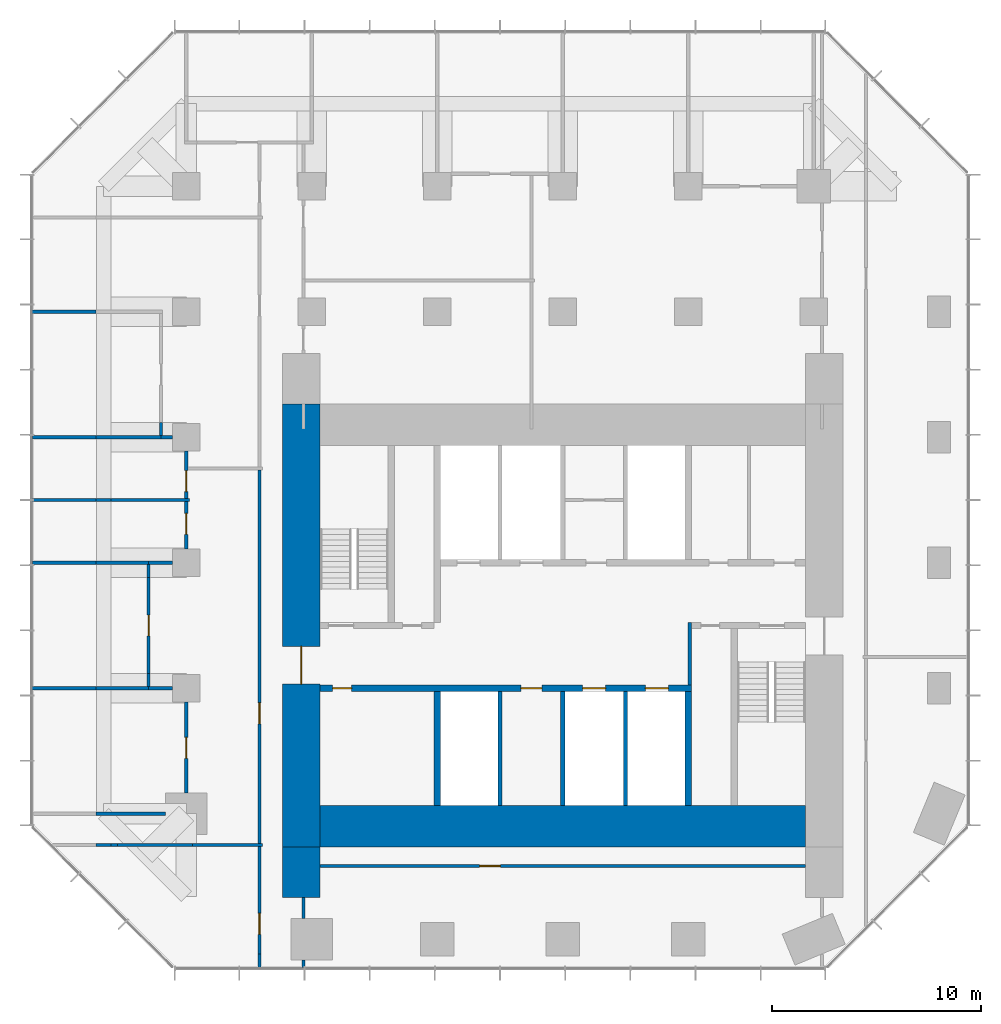
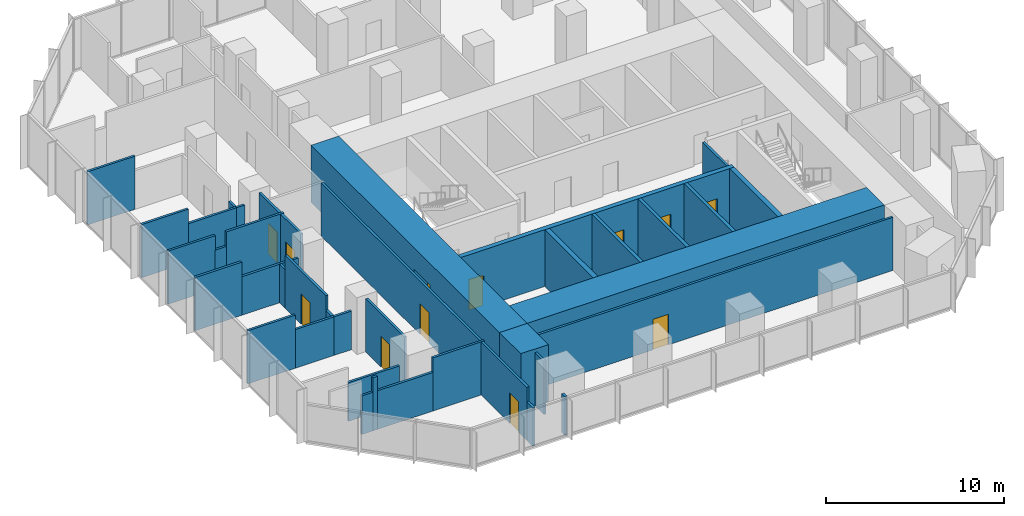
# One storey, part 8 of 11: 41 walls, 12 doors, 12 openings.
"""IFC4 building model written with IfcOpenShell, lengths in metres."""

import ifcopenshell
import ifcopenshell.guid

model = None  # the IFC model being written
_history = None  # IfcOwnerHistory: only IFC2X3 demands one
_inside = {}  # id of a spatial element -> (the spatial element, [elements in it])
_under = {}  # id of a project, library or spatial element -> (it, [spatial elements below it])
_declared = {}  # id of a project -> (the project, [libraries it declares])
_typed = {}  # id of a type object -> (the type object, [elements of that type])
_made_of = {}  # id of a material, layer set ... -> (it, [elements and type objects made of it])


def new_model(schema):
    """Start an empty IFC model of exactly this schema.

    Asked for "IFC4X3", IfcOpenShell would pick the latest addendum, in which some entities
    have other attributes; the version numbers below select the first issue.
    IFC2X3 requires an IfcOwnerHistory on every rooted entity: one is made here for all.
    """
    global model, _history
    if schema == "IFC4X3":
        model = ifcopenshell.file(schema_version=(4, 3, 0, 0))
    else:
        model = ifcopenshell.file(schema=schema)
    _inside.clear()
    _under.clear()
    _declared.clear()
    _typed.clear()
    _made_of.clear()
    _history = None
    if model.schema == "IFC2X3":
        org = make("IfcOrganization", Name="unknown")
        user = make(
            "IfcPersonAndOrganization",
            ThePerson=make("IfcPerson", FamilyName="unknown"),
            TheOrganization=org,
        )
        app = make(
            "IfcApplication",
            ApplicationDeveloper=org,
            Version="unknown",
            ApplicationFullName="unknown",
            ApplicationIdentifier="unknown",
        )
        _history = make(
            "IfcOwnerHistory",
            OwningUser=user,
            OwningApplication=app,
            ChangeAction="ADDED",
            CreationDate=0,
        )
    return model


def make(cls, **values):
    """One entity of the class cls with the attributes given. An attribute that is None is left unset."""
    return model.create_entity(
        cls, **{name: value for name, value in values.items() if value is not None}
    )


def rooted(cls, **values):
    """An entity with a GlobalId (a new one), such as an element, a storey or a relation."""
    return make(cls, GlobalId=ifcopenshell.guid.new(), OwnerHistory=_history, **values)


def si_unit(unit_type, name, prefix=None):
    """IfcSIUnit, for example si_unit("LENGTHUNIT", "METRE", prefix="MILLI")."""
    return make("IfcSIUnit", UnitType=unit_type, Prefix=prefix, Name=name)


def assignment(units):
    """IfcUnitAssignment: the units of a project."""
    return None if units is None else make("IfcUnitAssignment", Units=units)


def point(xyz):
    """IfcCartesianPoint."""
    return None if xyz is None else make("IfcCartesianPoint", Coordinates=xyz)


def direction(xyz):
    """IfcDirection."""
    return None if xyz is None else make("IfcDirection", DirectionRatios=xyz)


def frame(location, z_axis=None, x_axis=None):
    """IfcAxis2Placement3D, a coordinate frame: its origin and axes. An axis left out is left unset."""
    return make(
        "IfcAxis2Placement3D",
        Location=point(location),
        Axis=direction(z_axis),
        RefDirection=direction(x_axis),
    )


def frame_2d(location, x_axis=None):
    """IfcAxis2Placement2D, a coordinate frame in the plane: its origin and x axis."""
    return make(
        "IfcAxis2Placement2D", Location=point(location), RefDirection=direction(x_axis)
    )


def origin():
    """The frame at (0, 0, 0) with its axes left unset."""
    return frame((0.0, 0.0, 0.0))


def place(relative_to, where):
    """IfcLocalPlacement: puts the frame where relative to a parent placement (None: the world)."""
    return make(
        "IfcLocalPlacement", PlacementRelTo=relative_to, RelativePlacement=where
    )


def context(
    kind, dimensions, precision=None, world=None, true_north=None, identifier=None
):
    """IfcGeometricRepresentationContext, for example the 3D "Model" context."""
    return make(
        "IfcGeometricRepresentationContext",
        ContextIdentifier=identifier,
        ContextType=kind,
        CoordinateSpaceDimension=dimensions,
        Precision=precision,
        WorldCoordinateSystem=world,
        TrueNorth=true_north,
    )


def subcontext(parent, identifier, kind, view, scale=None):
    """IfcGeometricRepresentationSubContext, for example "Body" below "Model"."""
    return make(
        "IfcGeometricRepresentationSubContext",
        ContextIdentifier=identifier,
        ContextType=kind,
        ParentContext=parent,
        TargetScale=scale,
        TargetView=view,
    )


def project(units=None, contexts=None):
    """IfcProject with its units and contexts."""
    return rooted(
        "IfcProject",
        Name="project",
        RepresentationContexts=contexts,
        UnitsInContext=assignment(units),
    )


def spatial(cls, under=None, at=None, **own):
    """A site, building, storey or space (cls), placed at a placement, below another one or the project."""
    s = rooted(cls, ObjectPlacement=at, **own)
    if under is not None:
        _under.setdefault(under.id(), (under, []))[1].append(s)
    return s


def profile(cls, at=None, kind="AREA", **sizes):
    """A parametric profile (cls). Its sizes go by their IFC names, for example OverallWidth=200.0."""
    return make(cls, ProfileType=kind, Position=at, **sizes)


def rectangle(**sizes):
    """IfcRectangleProfileDef."""
    return profile("IfcRectangleProfileDef", **sizes)


def extrude(swept, where, along, depth):
    """IfcExtrudedAreaSolid: the profile swept, set in the frame where, extruded along a direction by depth."""
    return make(
        "IfcExtrudedAreaSolid",
        SweptArea=swept,
        Position=where,
        ExtrudedDirection=direction(along),
        Depth=depth,
    )


def shape(context_of_items, identifier, shape_type, items):
    """IfcShapeRepresentation: the items that make up one representation, for example the "Body"."""
    return make(
        "IfcShapeRepresentation",
        ContextOfItems=context_of_items,
        RepresentationIdentifier=identifier,
        RepresentationType=shape_type,
        Items=items,
    )


def material(Name=None, Category=None):
    """IfcMaterial."""
    return make("IfcMaterial", Name=Name, Category=Category)


def layer(
    of_material, thickness, ventilated=None, Name=None, Category=None, Priority=None
):
    """IfcMaterialLayer: one layer of a wall or slab, of a material (None: an air gap)."""
    return make(
        "IfcMaterialLayer",
        Material=of_material,
        LayerThickness=thickness,
        IsVentilated=ventilated,
        Name=Name,
        Category=Category,
        Priority=Priority,
    )


def layer_set(layers, Name=None):
    """IfcMaterialLayerSet."""
    return make("IfcMaterialLayerSet", MaterialLayers=layers, LayerSetName=Name)


def made_of(thing, what):
    """Note that an element or type object is made of a material, layer set ...; save() writes the relation."""
    if what is not None:
        _made_of.setdefault(what.id(), (what, []))[1].append(thing)
    return thing


def type_object(cls, material=None, **own):
    """A type object (cls), such as IfcWallType, which elements share."""
    return made_of(rooted(cls, **own), material)


def element(
    cls,
    number,
    at=None,
    inside=None,
    cuts=None,
    type_object=None,
    material=None,
    context=None,
    identifier="Body",
    shape_type=None,
    held_by="IfcProductDefinitionShape",
    body=None,
    shapes=None,
    **own,
):
    """One element of the class cls, such as IfcWall. Its Tag is "e" and its number.

    at: its placement. inside: the storey or other place that contains it. cuts: it is an
    opening in that element (IfcRelVoidsElement). A single representation is given by context,
    identifier, shape_type and body (its items); several are given by shapes. held_by: the class
    of the entity that holds the representations. save() writes the other relations.
    """
    e = rooted(cls, Tag="e%d" % number, ObjectPlacement=at, **own)
    if body is not None:
        shapes = [shape(context, identifier, shape_type, body)]
    if shapes is not None:
        e.Representation = make(held_by, Representations=shapes)
    if inside is not None:
        _inside.setdefault(inside.id(), (inside, []))[1].append(e)
    if cuts is not None:
        rooted(
            "IfcRelVoidsElement", RelatingBuildingElement=cuts, RelatedOpeningElement=e
        )
    if type_object is not None:
        _typed.setdefault(type_object.id(), (type_object, []))[1].append(e)
    return made_of(e, material)


def fill(opening, filler):
    """IfcRelFillsElement: the door or window that sits in an opening."""
    return rooted(
        "IfcRelFillsElement",
        RelatingOpeningElement=opening,
        RelatedBuildingElement=filler,
    )


def aggregate(whole, parts):
    """IfcRelAggregates: a whole, such as a stair, and the parts it consists of."""
    return rooted("IfcRelAggregates", RelatingObject=whole, RelatedObjects=parts)


def save(model, path):
    """Write the relations noted so far, then the file.

    IfcRelAggregates (storeys below a building ...), IfcRelContainedInSpatialStructure (elements
    in a storey), IfcRelDefinesByType, IfcRelAssociatesMaterial and IfcRelDeclares: one each for
    every whole, place, type object, material and project.
    """
    for whole, parts in _under.values():
        aggregate(whole, parts)
    for where, things in _inside.values():
        rooted(
            "IfcRelContainedInSpatialStructure",
            RelatedElements=things,
            RelatingStructure=where,
        )
    for kind, things in _typed.values():
        rooted("IfcRelDefinesByType", RelatedObjects=things, RelatingType=kind)
    for what, things in _made_of.values():
        rooted("IfcRelAssociatesMaterial", RelatedObjects=things, RelatingMaterial=what)
    for by, libraries in _declared.values():
        rooted("IfcRelDeclares", RelatingContext=by, RelatedDefinitions=libraries)
    model.write(path)


model = new_model("IFC4")

# Units and contexts
model_context = context("Model", 3, precision=1e-05, world=origin(), true_north=direction((0.0, 1.0)))
body_context = subcontext(model_context, "Body", "Model", "MODEL_VIEW")
ifc_project = project(units=[si_unit("LENGTHUNIT", "METRE"), si_unit("AREAUNIT", "SQUARE_METRE"), si_unit("VOLUMEUNIT", "CUBIC_METRE"), si_unit("PLANEANGLEUNIT", "RADIAN"), si_unit("MASSUNIT", "GRAM", prefix="KILO")], contexts=[model_context])

# Site, building, storey
site_placement = place(None, origin())
site = spatial("IfcSite", under=ifc_project, at=site_placement, CompositionType="ELEMENT")
building_placement = place(site_placement, origin())
building = spatial("IfcBuilding", under=site, at=building_placement, Name="Highveld Stack Headquarters", CompositionType="ELEMENT")
storey_placement = place(building_placement, frame((0.0, 0.0, 208.39990234375)))
storey = spatial("IfcBuildingStorey", under=building, at=storey_placement, Name="L51", CompositionType="ELEMENT", Elevation=208.39990234375)

# Wall, opening, door
ifc_material_1 = material(Name="Concrete C60/75", Category="concrete")
ifc_layer_1 = layer(ifc_material_1, 1.800048828125)
ifc_layer_set_1 = layer_set([ifc_layer_1], Name="Concrete C60/75")
wall_type_1 = type_object("IfcWallType", Name="CORE WALL 1800 C60/75", PredefinedType="SHEAR", material=ifc_layer_set_1)
wall_1_placement = place(storey_placement, frame((-6.5, -7.60009765625, 0.0), z_axis=(0.0, 0.0, 1.0), x_axis=(0.0, 1.0, 0.0)))
wall_1 = element("IfcWall", 1, at=wall_1_placement, inside=storey, type_object=wall_type_1, Name="Core wall W L51", PredefinedType="SHEAR", context=body_context, shape_type="SweptSolid", body=[
    extrude(rectangle(XDim=21.2001953125, YDim=1.800048828125, at=frame_2d((10.60009765625, 0.0))), origin(), (0.0, 0.0, 1.0), 3.900146484375),
])
opening_1_placement = place(wall_1_placement, frame((7.800048828125, 0.0, 0.0)))
opening_1 = element("IfcOpeningElement", 2, at=opening_1_placement, cuts=wall_1, Name="Opening L51-01", PredefinedType="OPENING", context=body_context, shape_type="SweptSolid", body=[
    extrude(rectangle(XDim=1.800048828125, YDim=2.39990234375, at=frame_2d((0.89990234375, 1.199951171875))), frame((0.0, 0.909912109375, 0.0), z_axis=(0.0, -1.0, 0.0), x_axis=(1.0, 0.0, 0.0)), (0.0, 0.0, 1.0), 1.820068359375),
])
ifc_material_2 = material(Name="Steel fire door", Category="steel")
door_type_1 = type_object("IfcDoorType", Name="LOBBY FIRE DOOR D4 1800x2400", OperationType="DOUBLE_DOOR_SINGLE_SWING", PredefinedType="DOOR", material=ifc_material_2)
door_1_placement = place(opening_1_placement, origin())
door_1 = element("IfcDoor", 3, at=door_1_placement, inside=storey, type_object=door_type_1, Name="Core west door L51", OperationType="DOUBLE_DOOR_SINGLE_SWING", OverallHeight=2.39990234375, OverallWidth=1.800048828125, PredefinedType="DOOR", context=body_context, shape_type="SweptSolid", body=[
    extrude(rectangle(XDim=1.800048828125, YDim=2.39990234375, at=frame_2d((0.89990234375, 1.199951171875))), frame((0.0, 0.02490234375, 0.0), z_axis=(0.0, -1.0, 0.0), x_axis=(1.0, 0.0, 0.0)), (0.0, 0.0, 1.0), 0.050048828125),
])
fill(opening_1, door_1)

# Wall
ifc_material_3 = material(Name="Concrete C60/75", Category="concrete")
ifc_layer_2 = layer(ifc_material_3, 2.0)
ifc_layer_set_2 = layer_set([ifc_layer_2], Name="Concrete C60/75")
wall_type_2 = type_object("IfcWallType", Name="CORE WALL 2000 C60/75", PredefinedType="SHEAR", material=ifc_layer_set_2)
wall_2_placement = place(storey_placement, frame((-5.60009765625, -6.60009765625, 0.0), z_axis=(0.0, 0.0, 1.0), x_axis=(1.0, 0.0, 0.0)))
element("IfcWall", 4, at=wall_2_placement, inside=storey, type_object=wall_type_2, Name="Core wall S L51", PredefinedType="SHEAR", context=body_context, shape_type="SweptSolid", body=[
    extrude(rectangle(XDim=23.2001953125, YDim=2.0, at=frame_2d((11.60009765625, 0.0))), origin(), (0.0, 0.0, 1.0), 3.900146484375),
])

# Wall, openings, doors
ifc_material_4 = material(Name="Concrete C60/75", Category="concrete")
ifc_layer_3 = layer(ifc_material_4, 0.300048828125)
ifc_layer_set_3 = layer_set([ifc_layer_3], Name="Concrete C60/75")
wall_type_3 = type_object("IfcWallType", Name="CORE WALL 300 C60/75", PredefinedType="SHEAR", material=ifc_layer_set_3)
wall_3_placement = place(storey_placement, frame((-5.60009765625, 0.0, 0.0), z_axis=(0.0, 0.0, 1.0), x_axis=(1.0, 0.0, 0.0)))
wall_3 = element("IfcWall", 5, at=wall_3_placement, inside=storey, type_object=wall_type_3, Name="Core wall I-Y0 L51", PredefinedType="SHEAR", context=body_context, shape_type="SweptSolid", body=[
    extrude(rectangle(XDim=17.75, YDim=0.300048828125, at=frame_2d((8.875, 0.0))), origin(), (0.0, 0.0, 1.0), 3.900146484375),
])
opening_2_placement = place(wall_3_placement, frame((0.60009765625, 0.0, 0.0)))
opening_2 = element("IfcOpeningElement", 6, at=opening_2_placement, cuts=wall_3, Name="Opening L51-07", PredefinedType="OPENING", context=body_context, shape_type="SweptSolid", body=[
    extrude(rectangle(XDim=0.89990234375, YDim=2.10009765625, at=frame_2d((0.449951171875, 1.050048828125))), frame((0.0, 0.159912109375, 0.0), z_axis=(0.0, -1.0, 0.0), x_axis=(1.0, 0.0, 0.0)), (0.0, 0.0, 1.0), 0.320068359375),
])
opening_3_placement = place(wall_3_placement, frame((9.60009765625, 0.0, 0.0)))
opening_3 = element("IfcOpeningElement", 7, at=opening_3_placement, cuts=wall_3, Name="Opening L51-12", PredefinedType="OPENING", context=body_context, shape_type="SweptSolid", body=[
    extrude(rectangle(XDim=1.0, YDim=2.10009765625, at=frame_2d((0.5, 1.050048828125))), frame((0.0, 0.159912109375, 0.0), z_axis=(0.0, -1.0, 0.0), x_axis=(1.0, 0.0, 0.0)), (0.0, 0.0, 1.0), 0.320068359375),
])
opening_4_placement = place(wall_3_placement, frame((12.550048828125, 0.0, 0.0)))
opening_4 = element("IfcOpeningElement", 8, at=opening_4_placement, cuts=wall_3, Name="Opening LD", PredefinedType="OPENING", context=body_context, shape_type="SweptSolid", body=[
    extrude(rectangle(XDim=1.10009765625, YDim=2.10009765625, at=frame_2d((0.550048828125, 1.050048828125))), frame((0.0, 0.159912109375, 0.0), z_axis=(0.0, -1.0, 0.0), x_axis=(1.0, 0.0, 0.0)), (0.0, 0.0, 1.0), 0.320068359375),
])
opening_5_placement = place(wall_3_placement, frame((15.550048828125, 0.0, 0.0)))
opening_5 = element("IfcOpeningElement", 9, at=opening_5_placement, cuts=wall_3, Name="Opening LD", PredefinedType="OPENING", context=body_context, shape_type="SweptSolid", body=[
    extrude(rectangle(XDim=1.10009765625, YDim=2.10009765625, at=frame_2d((0.550048828125, 1.050048828125))), frame((0.0, 0.159912109375, 0.0), z_axis=(0.0, -1.0, 0.0), x_axis=(1.0, 0.0, 0.0)), (0.0, 0.0, 1.0), 0.320068359375),
])
ifc_material_5 = material(Name="Steel fire door", Category="steel")
door_type_2 = type_object("IfcDoorType", Name="CORE ROOM FIRE DOOR D14 1000x2100", OperationType="SINGLE_SWING_LEFT", PredefinedType="DOOR", material=ifc_material_5)
door_2_placement = place(opening_3_placement, origin())
door_2 = element("IfcDoor", 10, at=door_2_placement, inside=storey, type_object=door_type_2, Name="Capped B 1 door L51", OperationType="SINGLE_SWING_RIGHT", OverallHeight=2.10009765625, OverallWidth=1.0, PredefinedType="DOOR", context=body_context, shape_type="SweptSolid", body=[
    extrude(rectangle(XDim=1.0, YDim=2.10009765625, at=frame_2d((0.5, 1.050048828125))), frame((0.0, 0.02490234375, 0.0), z_axis=(0.0, -1.0, 0.0), x_axis=(1.0, 0.0, 0.0)), (0.0, 0.0, 1.0), 0.050048828125),
])
fill(opening_3, door_2)
ifc_material_6 = material(Name="Stainless steel lift landing door", Category="steel")
door_type_3 = type_object("IfcDoorType", Name="LIFT LANDING DOOR LD 1100x2100", OperationType="DOUBLE_DOOR_SLIDING", PredefinedType="USERDEFINED", material=ifc_material_6)
door_3_placement = place(opening_4_placement, origin())
door_3 = element("IfcDoor", 11, at=door_3_placement, inside=storey, type_object=door_type_3, Name="Lift landing door C1 L51", ObjectType="LIFT LANDING DOOR", OperationType="DOUBLE_DOOR_SLIDING", OverallHeight=2.10009765625, OverallWidth=1.10009765625, PredefinedType="USERDEFINED", context=body_context, shape_type="SweptSolid", body=[
    extrude(rectangle(XDim=1.10009765625, YDim=2.10009765625, at=frame_2d((0.550048828125, 1.050048828125))), frame((0.0, 0.02490234375, 0.0), z_axis=(0.0, -1.0, 0.0), x_axis=(1.0, 0.0, 0.0)), (0.0, 0.0, 1.0), 0.050048828125),
])
fill(opening_4, door_3)
door_4_placement = place(opening_5_placement, origin())
door_4 = element("IfcDoor", 12, at=door_4_placement, inside=storey, type_object=door_type_3, Name="Lift landing door C2 L51", ObjectType="LIFT LANDING DOOR", OperationType="DOUBLE_DOOR_SLIDING", OverallHeight=2.10009765625, OverallWidth=1.10009765625, PredefinedType="USERDEFINED", context=body_context, shape_type="SweptSolid", body=[
    extrude(rectangle(XDim=1.10009765625, YDim=2.10009765625, at=frame_2d((0.550048828125, 1.050048828125))), frame((0.0, 0.02490234375, 0.0), z_axis=(0.0, -1.0, 0.0), x_axis=(1.0, 0.0, 0.0)), (0.0, 0.0, 1.0), 0.050048828125),
])
fill(opening_5, door_4)
ifc_material_7 = material(Name="Timber door, painted", Category="wood")
door_type_4 = type_object("IfcDoorType", Name="WC DOOR D1 900x2100", OperationType="SINGLE_SWING_LEFT", PredefinedType="DOOR", material=ifc_material_7)
door_5_placement = place(opening_2_placement, origin())
door_5 = element("IfcDoor", 13, at=door_5_placement, inside=storey, type_object=door_type_4, Name="Female WC door L51", OperationType="SINGLE_SWING_LEFT", OverallHeight=2.10009765625, OverallWidth=0.89990234375, PredefinedType="DOOR", context=body_context, shape_type="SweptSolid", body=[
    extrude(rectangle(XDim=0.89990234375, YDim=2.10009765625, at=frame_2d((0.449951171875, 1.050048828125))), frame((0.0, 0.02490234375, 0.0), z_axis=(0.0, -1.0, 0.0), x_axis=(1.0, 0.0, 0.0)), (0.0, 0.0, 1.0), 0.050048828125),
])
fill(opening_2, door_5)

# Walls
for number, where, z_axis, x_axis, name in (
    (14, (0.0, -5.60009765625, 0.0), (0.0, 0.0, 1.0), (0.0, 1.0, 0.0), "Core wall I-X0S L51"),
    (15, (12.0, -5.60009765625, 0.0), (0.0, 0.0, 1.0), (0.0, 1.0, 0.0), "Core wall I-X12S L51"),
):
    element("IfcWall", number, at=place(storey_placement, frame(where, z_axis=z_axis, x_axis=x_axis)), inside=storey, type_object=wall_type_3, Name=name, PredefinedType="SHEAR", context=body_context, shape_type="SweptSolid", body=[
        extrude(rectangle(XDim=5.4501953125, YDim=0.300048828125, at=frame_2d((2.72509765625, 0.0))), origin(), (0.0, 0.0, 1.0), 3.900146484375),
    ])
ifc_material_8 = material(Name="Concrete C60/75", Category="concrete")
ifc_layer_4 = layer(ifc_material_8, 1.800048828125)
ifc_layer_set_4 = layer_set([ifc_layer_4], Name="Concrete C60/75")
wall_type_4 = type_object("IfcWallType", Name="CORE WING WALL 1800 C60/75", PredefinedType="SHEAR", material=ifc_layer_set_4)
wall_4_placement = place(storey_placement, frame((-6.5, -10.0, 0.0), z_axis=(0.0, 0.0, 1.0), x_axis=(0.0, 1.0, 0.0)))
element("IfcWall", 16, at=wall_4_placement, inside=storey, type_object=wall_type_4, Name="Core wing wall WS L51", PredefinedType="SHEAR", context=body_context, shape_type="SweptSolid", body=[
    extrude(rectangle(XDim=2.39990234375, YDim=1.800048828125, at=frame_2d((1.199951171875, 0.0))), origin(), (0.0, 0.0, 1.0), 3.900146484375),
])
ifc_material_9 = material(Name="Concrete blockwork, plastered", Category="masonry")
ifc_layer_5 = layer(ifc_material_9, 0.14990234375)
ifc_layer_set_5 = layer_set([ifc_layer_5], Name="Concrete blockwork, plastered")
wall_type_5 = type_object("IfcWallType", Name="FIRE PARTITION 150 BLOCKWORK", PredefinedType="PARTITIONING", material=ifc_layer_set_5)
wall_5_placement = place(storey_placement, frame((12.074951171875, 0.14990234375, 0.0), z_axis=(0.0, 0.0, 1.0), x_axis=(0.0, 1.0, 0.0)))
element("IfcWall", 17, at=wall_5_placement, inside=storey, type_object=wall_type_5, Name="Riser R2 enclosure L51", PredefinedType="PARTITIONING", context=body_context, shape_type="SweptSolid", body=[
    extrude(rectangle(XDim=3.0, YDim=0.14990234375, at=frame_2d((1.5, 0.0))), origin(), (0.0, 0.0, 1.0), 3.650146484375),
])
ifc_material_10 = material(Name="Concrete blockwork, fair-faced", Category="masonry")
ifc_layer_6 = layer(ifc_material_10, 0.199951171875)
ifc_layer_set_6 = layer_set([ifc_layer_6], Name="Concrete blockwork, fair-faced")
wall_type_6 = type_object("IfcWallType", Name="LIFT SHAFT ENCLOSURE WALL 200 BLOCKWORK", PredefinedType="SOLIDWALL", material=ifc_layer_set_6)
for number, where, z_axis, x_axis, name in (
    (18, (3.0, -5.60009765625, 0.0), (0.0, 0.0, 1.0), (0.0, 1.0, 0.0), "Lift shaft wall L51"),
    (19, (6.0, -5.60009765625, 0.0), (0.0, 0.0, 1.0), (0.0, 1.0, 0.0), "Lift shaft wall L51"),
    (20, (9.0, -5.60009765625, 0.0), (0.0, 0.0, 1.0), (0.0, 1.0, 0.0), "Lift shaft wall L51"),
):
    element("IfcWall", number, at=place(storey_placement, frame(where, z_axis=z_axis, x_axis=x_axis)), inside=storey, type_object=wall_type_6, Name=name, PredefinedType="SOLIDWALL", context=body_context, shape_type="SweptSolid", body=[
        extrude(rectangle(XDim=5.4501953125, YDim=0.199951171875, at=frame_2d((2.72509765625, 0.0))), origin(), (0.0, 0.0, 1.0), 3.900146484375),
    ])
ifc_material_11 = material(Name="Gypsum plasterboard on steel studs", Category="steel")
ifc_layer_7 = layer(ifc_material_11, 0.14990234375)
ifc_layer_set_7 = layer_set([ifc_layer_7], Name="Gypsum plasterboard on steel studs")
wall_type_7 = type_object("IfcWallType", Name="PARTITION 150 PLASTERBOARD", PredefinedType="PARTITIONING", material=ifc_layer_set_7)
wall_6_placement = place(storey_placement, frame((-16.31005859375, -6.0, 0.0), z_axis=(0.0, 0.0, 1.0), x_axis=(1.0, 0.0, 0.0)))
element("IfcWall", 21, at=wall_6_placement, inside=storey, type_object=wall_type_7, Name="Partition Office L51", PredefinedType="PARTITIONING", context=body_context, shape_type="SweptSolid", body=[
    extrude(rectangle(XDim=3.31005859375, YDim=0.14990234375, at=frame_2d((1.655029296875, 0.0))), origin(), (0.0, 0.0, 1.0), 2.650146484375),
])
wall_7_placement = place(storey_placement, frame((-19.39990234375, 0.0, 0.0), z_axis=(0.0, 0.0, 1.0), x_axis=(1.0, 0.0, 0.0)))
element("IfcWall", 22, at=wall_7_placement, inside=storey, type_object=wall_type_7, Name="Partition Office / Print room L51", PredefinedType="PARTITIONING", context=body_context, shape_type="SweptSolid", body=[
    extrude(rectangle(XDim=3.08984375, YDim=0.14990234375, at=frame_2d((1.544921875, 0.0))), origin(), (0.0, 0.0, 1.0), 3.650146484375),
])
wall_8_placement = place(storey_placement, frame((-16.31005859375, 0.0, 0.0), z_axis=(0.0, 0.0, 1.0), x_axis=(1.0, 0.0, 0.0)))
element("IfcWall", 23, at=wall_8_placement, inside=storey, type_object=wall_type_7, Name="Partition Office / Print room L51", PredefinedType="PARTITIONING", context=body_context, shape_type="SweptSolid", body=[
    extrude(rectangle(XDim=2.5849609375, YDim=0.14990234375, at=frame_2d((1.29248046875, 0.0))), origin(), (0.0, 0.0, 1.0), 2.650146484375),
])
wall_9_placement = place(storey_placement, frame((-13.800048828125, 0.0, 0.0), z_axis=(0.0, 0.0, 1.0), x_axis=(1.0, 0.0, 0.0)))
element("IfcWall", 24, at=wall_9_placement, inside=storey, type_object=wall_type_7, Name="Partition Office L51", PredefinedType="PARTITIONING", context=body_context, shape_type="SweptSolid", body=[
    extrude(rectangle(XDim=1.150146484375, YDim=0.14990234375, at=frame_2d((0.5751953125, 0.0))), origin(), (0.0, 0.0, 1.0), 2.650146484375),
])
wall_10_placement = place(storey_placement, frame((-19.35009765625, 6.0, 0.0), z_axis=(0.0, 0.0, 1.0), x_axis=(1.0, 0.0, 0.0)))
element("IfcWall", 25, at=wall_10_placement, inside=storey, type_object=wall_type_7, Name="Partition Office / Print room L51", PredefinedType="PARTITIONING", context=body_context, shape_type="SweptSolid", body=[
    extrude(rectangle(XDim=3.0400390625, YDim=0.14990234375, at=frame_2d((1.52001953125, 0.0))), origin(), (0.0, 0.0, 1.0), 3.650146484375),
])
wall_11_placement = place(storey_placement, frame((-16.31005859375, 6.0, 0.0), z_axis=(0.0, 0.0, 1.0), x_axis=(1.0, 0.0, 0.0)))
element("IfcWall", 26, at=wall_11_placement, inside=storey, type_object=wall_type_7, Name="Partition Office / Print room L51", PredefinedType="PARTITIONING", context=body_context, shape_type="SweptSolid", body=[
    extrude(rectangle(XDim=2.5849609375, YDim=0.14990234375, at=frame_2d((1.29248046875, 0.0))), origin(), (0.0, 0.0, 1.0), 2.650146484375),
])
wall_12_placement = place(storey_placement, frame((-13.800048828125, 6.0, 0.0), z_axis=(0.0, 0.0, 1.0), x_axis=(1.0, 0.0, 0.0)))
element("IfcWall", 27, at=wall_12_placement, inside=storey, type_object=wall_type_7, Name="Partition Office L51", PredefinedType="PARTITIONING", context=body_context, shape_type="SweptSolid", body=[
    extrude(rectangle(XDim=1.150146484375, YDim=0.14990234375, at=frame_2d((0.5751953125, 0.0))), origin(), (0.0, 0.0, 1.0), 2.650146484375),
])
wall_13_placement = place(storey_placement, frame((-19.35009765625, 9.0, 0.0), z_axis=(0.0, 0.0, 1.0), x_axis=(1.0, 0.0, 0.0)))
element("IfcWall", 28, at=wall_13_placement, inside=storey, type_object=wall_type_7, Name="Partition Office L51", PredefinedType="PARTITIONING", context=body_context, shape_type="SweptSolid", body=[
    extrude(rectangle(XDim=3.0400390625, YDim=0.14990234375, at=frame_2d((1.52001953125, 0.0))), origin(), (0.0, 0.0, 1.0), 3.650146484375),
])
wall_14_placement = place(storey_placement, frame((-16.31005859375, 9.0, 0.0), z_axis=(0.0, 0.0, 1.0), x_axis=(1.0, 0.0, 0.0)))
element("IfcWall", 29, at=wall_14_placement, inside=storey, type_object=wall_type_7, Name="Partition Office L51", PredefinedType="PARTITIONING", context=body_context, shape_type="SweptSolid", body=[
    extrude(rectangle(XDim=0.719970703125, YDim=0.14990234375, at=frame_2d((0.35986328125, 0.0))), origin(), (0.0, 0.0, 1.0), 2.650146484375),
])
wall_15_placement = place(storey_placement, frame((-15.590087890625, 9.0, 0.0), z_axis=(0.0, 0.0, 1.0), x_axis=(1.0, 0.0, 0.0)))
element("IfcWall", 30, at=wall_15_placement, inside=storey, type_object=wall_type_7, Name="Partition Office L51", PredefinedType="PARTITIONING", context=body_context, shape_type="SweptSolid", body=[
    extrude(rectangle(XDim=3.739990234375, YDim=0.14990234375, at=frame_2d((1.8701171875, 0.0))), origin(), (0.0, 0.0, 1.0), 3.650146484375),
])
wall_16_placement = place(storey_placement, frame((-19.35009765625, 12.0, 0.0), z_axis=(0.0, 0.0, 1.0), x_axis=(1.0, 0.0, 0.0)))
element("IfcWall", 31, at=wall_16_placement, inside=storey, type_object=wall_type_7, Name="Partition Office / Tea kitchen L51", PredefinedType="PARTITIONING", context=body_context, shape_type="SweptSolid", body=[
    extrude(rectangle(XDim=3.0400390625, YDim=0.14990234375, at=frame_2d((1.52001953125, 0.0))), origin(), (0.0, 0.0, 1.0), 3.650146484375),
])
wall_17_placement = place(storey_placement, frame((-16.31005859375, 12.0, 0.0), z_axis=(0.0, 0.0, 1.0), x_axis=(1.0, 0.0, 0.0)))
element("IfcWall", 32, at=wall_17_placement, inside=storey, type_object=wall_type_7, Name="Partition Office / Tea kitchen L51", PredefinedType="PARTITIONING", context=body_context, shape_type="SweptSolid", body=[
    extrude(rectangle(XDim=3.18505859375, YDim=0.14990234375, at=frame_2d((1.592529296875, 0.0))), origin(), (0.0, 0.0, 1.0), 2.650146484375),
])
wall_18_placement = place(storey_placement, frame((-13.199951171875, 12.0, 0.0), z_axis=(0.0, 0.0, 1.0), x_axis=(1.0, 0.0, 0.0)))
element("IfcWall", 33, at=wall_18_placement, inside=storey, type_object=wall_type_7, Name="Partition Office L51", PredefinedType="PARTITIONING", context=body_context, shape_type="SweptSolid", body=[
    extrude(rectangle(XDim=0.550048828125, YDim=0.14990234375, at=frame_2d((0.27490234375, 0.0))), origin(), (0.0, 0.0, 1.0), 2.650146484375),
])
wall_19_placement = place(storey_placement, frame((-19.39990234375, 18.0, 0.0), z_axis=(0.0, 0.0, 1.0), x_axis=(1.0, 0.0, 0.0)))
element("IfcWall", 34, at=wall_19_placement, inside=storey, type_object=wall_type_7, Name="Partition Tea kitchen L51", PredefinedType="PARTITIONING", context=body_context, shape_type="SweptSolid", body=[
    extrude(rectangle(XDim=3.08984375, YDim=0.14990234375, at=frame_2d((1.544921875, 0.0))), origin(), (0.0, 0.0, 1.0), 3.650146484375),
])
wall_20_placement = place(storey_placement, frame((-13.800048828125, 0.074951171875, 0.0), z_axis=(0.0, 0.0, 1.0), x_axis=(0.0, 1.0, 0.0)))
element("IfcWall", 35, at=wall_20_placement, inside=storey, type_object=wall_type_7, Name="Partition Print room L51", PredefinedType="PARTITIONING", context=body_context, shape_type="SweptSolid", body=[
    extrude(rectangle(XDim=0.635009765625, YDim=0.14990234375, at=frame_2d((0.3173828125, 0.0))), origin(), (0.0, 0.0, 1.0), 2.650146484375),
])

# Wall, opening, door
wall_21_placement = place(storey_placement, frame((-13.800048828125, 0.7099609375, 0.0), z_axis=(0.0, 0.0, 1.0), x_axis=(0.0, 1.0, 0.0)))
wall_21 = element("IfcWall", 36, at=wall_21_placement, inside=storey, type_object=wall_type_7, Name="Partition Print room L51", PredefinedType="PARTITIONING", context=body_context, shape_type="SweptSolid", body=[
    extrude(rectangle(XDim=4.580078125, YDim=0.14990234375, at=frame_2d((2.2900390625, 0.0))), origin(), (0.0, 0.0, 1.0), 3.650146484375),
])
opening_6_placement = place(wall_21_placement, frame((1.7900390625, 0.0, 0.0)))
opening_6 = element("IfcOpeningElement", 37, at=opening_6_placement, cuts=wall_21, Name="Opening L51-14", PredefinedType="OPENING", context=body_context, shape_type="SweptSolid", body=[
    extrude(rectangle(XDim=1.0, YDim=2.10009765625, at=frame_2d((0.5, 1.050048828125))), frame((0.0, 0.0849609375, 0.0), z_axis=(0.0, -1.0, 0.0), x_axis=(1.0, 0.0, 0.0)), (0.0, 0.0, 1.0), 0.169921875),
])
ifc_material_12 = material(Name="Timber door, oiled ash", Category="wood")
door_type_5 = type_object("IfcDoorType", Name="ROOM DOOR D6 1000x2100", OperationType="SINGLE_SWING_LEFT", PredefinedType="DOOR", material=ifc_material_12)
door_6_placement = place(opening_6_placement, origin())
door_6 = element("IfcDoor", 38, at=door_6_placement, inside=storey, type_object=door_type_5, Name="Print room door 1 L51", OperationType="SINGLE_SWING_LEFT", OverallHeight=2.10009765625, OverallWidth=1.0, PredefinedType="DOOR", context=body_context, shape_type="SweptSolid", body=[
    extrude(rectangle(XDim=1.0, YDim=2.10009765625, at=frame_2d((0.5, 1.050048828125))), frame((0.0, 0.02490234375, 0.0), z_axis=(0.0, -1.0, 0.0), x_axis=(1.0, 0.0, 0.0)), (0.0, 0.0, 1.0), 0.050048828125),
])
fill(opening_6, door_6)

# Walls
for number, where, z_axis, x_axis, name in (
    (39, (-13.800048828125, 5.2900390625, 0.0), (0.0, 0.0, 1.0), (0.0, 1.0, 0.0), "Partition Print room L51"),
    (40, (-13.199951171875, 12.074951171875, 0.0), (0.0, 0.0, 1.0), (0.0, 1.0, 0.0), "Partition Tea kitchen L51"),
):
    element("IfcWall", number, at=place(storey_placement, frame(where, z_axis=z_axis, x_axis=x_axis)), inside=storey, type_object=wall_type_7, Name=name, PredefinedType="PARTITIONING", context=body_context, shape_type="SweptSolid", body=[
        extrude(rectangle(XDim=0.635009765625, YDim=0.14990234375, at=frame_2d((0.3173828125, 0.0))), origin(), (0.0, 0.0, 1.0), 2.650146484375),
    ])

# Wall, opening, door
wall_22_placement = place(storey_placement, frame((-12.0, -5.0, 0.0), z_axis=(0.0, 0.0, 1.0), x_axis=(0.0, 1.0, 0.0)))
wall_22 = element("IfcWall", 41, at=wall_22_placement, inside=storey, type_object=wall_type_7, Name="Partition Office L51", PredefinedType="PARTITIONING", context=body_context, shape_type="SweptSolid", body=[
    extrude(rectangle(XDim=4.340087890625, YDim=0.14990234375, at=frame_2d((2.169921875, 0.0))), origin(), (0.0, 0.0, 1.0), 3.650146484375),
])
opening_7_placement = place(wall_22_placement, frame((1.64501953125, 0.0, 0.0)))
opening_7 = element("IfcOpeningElement", 42, at=opening_7_placement, cuts=wall_22, Name="Opening L51-13", PredefinedType="OPENING", context=body_context, shape_type="SweptSolid", body=[
    extrude(rectangle(XDim=1.0, YDim=2.10009765625, at=frame_2d((0.5, 1.050048828125))), frame((0.0, 0.0849609375, 0.0), z_axis=(0.0, -1.0, 0.0), x_axis=(1.0, 0.0, 0.0)), (0.0, 0.0, 1.0), 0.169921875),
])
door_7_placement = place(opening_7_placement, origin())
door_7 = element("IfcDoor", 43, at=door_7_placement, inside=storey, type_object=door_type_5, Name="Office door 1 L51", OperationType="SINGLE_SWING_LEFT", OverallHeight=2.10009765625, OverallWidth=1.0, PredefinedType="DOOR", context=body_context, shape_type="SweptSolid", body=[
    extrude(rectangle(XDim=1.0, YDim=2.10009765625, at=frame_2d((0.5, 1.050048828125))), frame((0.0, 0.02490234375, 0.0), z_axis=(0.0, -1.0, 0.0), x_axis=(1.0, 0.0, 0.0)), (0.0, 0.0, 1.0), 0.050048828125),
])
fill(opening_7, door_7)

wall_23_placement = place(storey_placement, frame((-12.0, 6.659912109375, 0.0), z_axis=(0.0, 0.0, 1.0), x_axis=(0.0, 1.0, 0.0)))
wall_23 = element("IfcWall", 44, at=wall_23_placement, inside=storey, type_object=wall_type_7, Name="Partition Office L51", PredefinedType="PARTITIONING", context=body_context, shape_type="SweptSolid", body=[
    extrude(rectangle(XDim=2.26513671875, YDim=0.14990234375, at=frame_2d((1.132568359375, 0.0))), origin(), (0.0, 0.0, 1.0), 3.650146484375),
])
opening_8_placement = place(wall_23_placement, frame((0.695068359375, 0.0, 0.0)))
opening_8 = element("IfcOpeningElement", 45, at=opening_8_placement, cuts=wall_23, Name="Opening L51-15", PredefinedType="OPENING", context=body_context, shape_type="SweptSolid", body=[
    extrude(rectangle(XDim=1.0, YDim=2.10009765625, at=frame_2d((0.5, 1.050048828125))), frame((0.0, 0.0849609375, 0.0), z_axis=(0.0, -1.0, 0.0), x_axis=(1.0, 0.0, 0.0)), (0.0, 0.0, 1.0), 0.169921875),
])
door_8_placement = place(opening_8_placement, origin())
door_8 = element("IfcDoor", 46, at=door_8_placement, inside=storey, type_object=door_type_5, Name="Office door 1 L51", OperationType="SINGLE_SWING_RIGHT", OverallHeight=2.10009765625, OverallWidth=1.0, PredefinedType="DOOR", context=body_context, shape_type="SweptSolid", body=[
    extrude(rectangle(XDim=1.0, YDim=2.10009765625, at=frame_2d((0.5, 1.050048828125))), frame((0.0, 0.02490234375, 0.0), z_axis=(0.0, -1.0, 0.0), x_axis=(1.0, 0.0, 0.0)), (0.0, 0.0, 1.0), 0.050048828125),
])
fill(opening_8, door_8)

wall_24_placement = place(storey_placement, frame((-12.0, 9.074951171875, 0.0), z_axis=(0.0, 0.0, 1.0), x_axis=(0.0, 1.0, 0.0)))
wall_24 = element("IfcWall", 47, at=wall_24_placement, inside=storey, type_object=wall_type_7, Name="Partition Office L51", PredefinedType="PARTITIONING", context=body_context, shape_type="SweptSolid", body=[
    extrude(rectangle(XDim=2.26513671875, YDim=0.14990234375, at=frame_2d((1.132568359375, 0.0))), origin(), (0.0, 0.0, 1.0), 3.650146484375),
])
opening_9_placement = place(wall_24_placement, frame((0.324951171875, 0.0, 0.0)))
opening_9 = element("IfcOpeningElement", 48, at=opening_9_placement, cuts=wall_24, Name="Opening L51-16", PredefinedType="OPENING", context=body_context, shape_type="SweptSolid", body=[
    extrude(rectangle(XDim=1.0, YDim=2.10009765625, at=frame_2d((0.5, 1.050048828125))), frame((0.0, 0.0849609375, 0.0), z_axis=(0.0, -1.0, 0.0), x_axis=(1.0, 0.0, 0.0)), (0.0, 0.0, 1.0), 0.169921875),
])
door_9_placement = place(opening_9_placement, origin())
door_9 = element("IfcDoor", 49, at=door_9_placement, inside=storey, type_object=door_type_5, Name="Office door 1 L51", OperationType="SINGLE_SWING_LEFT", OverallHeight=2.10009765625, OverallWidth=1.0, PredefinedType="DOOR", context=body_context, shape_type="SweptSolid", body=[
    extrude(rectangle(XDim=1.0, YDim=2.10009765625, at=frame_2d((0.5, 1.050048828125))), frame((0.0, 0.02490234375, 0.0), z_axis=(0.0, -1.0, 0.0), x_axis=(1.0, 0.0, 0.0)), (0.0, 0.0, 1.0), 0.050048828125),
])
fill(opening_9, door_9)

# Walls
wall_25_placement = place(storey_placement, frame((-16.31005859375, -7.5, 0.0), z_axis=(0.0, 0.0, 1.0), x_axis=(1.0, 0.0, 0.0)))
element("IfcWall", 50, at=wall_25_placement, inside=storey, type_object=wall_type_7, Name="Partition office neighbourhood L51", PredefinedType="PARTITIONING", context=body_context, shape_type="SweptSolid", body=[
    extrude(rectangle(XDim=0.719970703125, YDim=0.14990234375, at=frame_2d((0.35986328125, 0.0))), origin(), (0.0, 0.0, 1.0), 2.650146484375),
])
wall_26_placement = place(storey_placement, frame((-15.590087890625, -7.5, 0.0), z_axis=(0.0, 0.0, 1.0), x_axis=(1.0, 0.0, 0.0)))
element("IfcWall", 51, at=wall_26_placement, inside=storey, type_object=wall_type_7, Name="Partition office neighbourhood L51", PredefinedType="PARTITIONING", context=body_context, shape_type="SweptSolid", body=[
    extrude(rectangle(XDim=0.298095703125, YDim=0.14990234375, at=frame_2d((0.14892578125, 0.0))), origin(), (0.0, 0.0, 1.0), 3.650146484375),
])
wall_27_placement = place(storey_placement, frame((-15.2919921875, -7.5, 0.0), z_axis=(0.0, 0.0, 1.0), x_axis=(1.0, 0.0, 0.0)))
element("IfcWall", 52, at=wall_27_placement, inside=storey, type_object=wall_type_7, Name="Partition office neighbourhood L51", PredefinedType="PARTITIONING", context=body_context, shape_type="SweptSolid", body=[
    extrude(rectangle(XDim=3.583984375, YDim=0.14990234375, at=frame_2d((1.7919921875, 0.0))), origin(), (0.0, 0.0, 1.0), 2.650146484375),
])
wall_28_placement = place(storey_placement, frame((-11.7080078125, -7.5, 0.0), z_axis=(0.0, 0.0, 1.0), x_axis=(1.0, 0.0, 0.0)))
element("IfcWall", 53, at=wall_28_placement, inside=storey, type_object=wall_type_7, Name="Partition office neighbourhood L51", PredefinedType="PARTITIONING", context=body_context, shape_type="SweptSolid", body=[
    extrude(rectangle(XDim=3.35791015625, YDim=0.14990234375, at=frame_2d((1.678955078125, 0.0))), origin(), (0.0, 0.0, 1.0), 3.650146484375),
])
wall_29_placement = place(storey_placement, frame((-8.5, -13.39990234375, 0.0), z_axis=(0.0, 0.0, 1.0), x_axis=(0.0, 1.0, 0.0)))
element("IfcWall", 54, at=wall_29_placement, inside=storey, type_object=wall_type_7, Name="Partition office neighbourhood L51", PredefinedType="PARTITIONING", context=body_context, shape_type="SweptSolid", body=[
    extrude(rectangle(XDim=0.69189453125, YDim=0.14990234375, at=frame_2d((0.345947265625, 0.0))), origin(), (0.0, 0.0, 1.0), 2.650146484375),
])

# Wall, opening, door
wall_30_placement = place(storey_placement, frame((-8.5, -12.7080078125, 0.0), z_axis=(0.0, 0.0, 1.0), x_axis=(0.0, 1.0, 0.0)))
wall_30 = element("IfcWall", 55, at=wall_30_placement, inside=storey, type_object=wall_type_7, Name="Partition office neighbourhood L51", PredefinedType="PARTITIONING", context=body_context, shape_type="SweptSolid", body=[
    extrude(rectangle(XDim=5.133056640625, YDim=0.14990234375, at=frame_2d((2.56640625, 0.0))), origin(), (0.0, 0.0, 1.0), 3.650146484375),
])
opening_10_placement = place(wall_30_placement, frame((0.93798828125, 0.0, 0.0)))
opening_10 = element("IfcOpeningElement", 56, at=opening_10_placement, cuts=wall_30, Name="Opening L51-21", PredefinedType="OPENING", context=body_context, shape_type="SweptSolid", body=[
    extrude(rectangle(XDim=1.0, YDim=2.10009765625, at=frame_2d((0.5, 1.050048828125))), frame((0.0, 0.0849609375, 0.0), z_axis=(0.0, -1.0, 0.0), x_axis=(1.0, 0.0, 0.0)), (0.0, 0.0, 1.0), 0.169921875),
])
door_10_placement = place(opening_10_placement, origin())
door_10 = element("IfcDoor", 57, at=door_10_placement, inside=storey, type_object=door_type_5, Name="Office neighbourhood door L51", OperationType="SINGLE_SWING_LEFT", OverallHeight=2.10009765625, OverallWidth=1.0, PredefinedType="DOOR", context=body_context, shape_type="SweptSolid", body=[
    extrude(rectangle(XDim=1.0, YDim=2.10009765625, at=frame_2d((0.5, 1.050048828125))), frame((0.0, 0.02490234375, 0.0), z_axis=(0.0, -1.0, 0.0), x_axis=(1.0, 0.0, 0.0)), (0.0, 0.0, 1.0), 0.050048828125),
])
fill(opening_10, door_10)

wall_31_placement = place(storey_placement, frame((-8.5, -7.425048828125, 0.0), z_axis=(0.0, 0.0, 1.0), x_axis=(0.0, 1.0, 0.0)))
wall_31 = element("IfcWall", 58, at=wall_31_placement, inside=storey, type_object=wall_type_7, Name="Partition office neighbourhood L51", PredefinedType="PARTITIONING", context=body_context, shape_type="SweptSolid", body=[
    extrude(rectangle(XDim=17.85009765625, YDim=0.14990234375, at=frame_2d((8.925048828125, 0.0))), origin(), (0.0, 0.0, 1.0), 3.650146484375),
])
opening_11_placement = place(wall_31_placement, frame((5.72509765625, 0.0, 0.0)))
opening_11 = element("IfcOpeningElement", 59, at=opening_11_placement, cuts=wall_31, Name="Opening L51-23", PredefinedType="OPENING", context=body_context, shape_type="SweptSolid", body=[
    extrude(rectangle(XDim=1.0, YDim=2.10009765625, at=frame_2d((0.5, 1.050048828125))), frame((0.0, 0.0849609375, 0.0), z_axis=(0.0, -1.0, 0.0), x_axis=(1.0, 0.0, 0.0)), (0.0, 0.0, 1.0), 0.169921875),
])
door_11_placement = place(opening_11_placement, origin())
door_11 = element("IfcDoor", 60, at=door_11_placement, inside=storey, type_object=door_type_5, Name="Office neighbourhood door L51", OperationType="SINGLE_SWING_LEFT", OverallHeight=2.10009765625, OverallWidth=1.0, PredefinedType="DOOR", context=body_context, shape_type="SweptSolid", body=[
    extrude(rectangle(XDim=1.0, YDim=2.10009765625, at=frame_2d((0.5, 1.050048828125))), frame((0.0, 0.02490234375, 0.0), z_axis=(0.0, -1.0, 0.0), x_axis=(1.0, 0.0, 0.0)), (0.0, 0.0, 1.0), 0.050048828125),
])
fill(opening_11, door_11)

# Walls
wall_32_placement = place(storey_placement, frame((-6.39990234375, -13.35009765625, 0.0), z_axis=(0.0, 0.0, 1.0), x_axis=(0.0, 1.0, 0.0)))
element("IfcWall", 61, at=wall_32_placement, inside=storey, type_object=wall_type_7, Name="Partition office neighbourhood L51", PredefinedType="PARTITIONING", context=body_context, shape_type="SweptSolid", body=[
    extrude(rectangle(XDim=0.35009765625, YDim=0.14990234375, at=frame_2d((0.175048828125, 0.0))), origin(), (0.0, 0.0, 1.0), 2.650146484375),
])
wall_33_placement = place(storey_placement, frame((-6.39990234375, -11.0, 0.0), z_axis=(0.0, 0.0, 1.0), x_axis=(0.0, 1.0, 0.0)))
element("IfcWall", 62, at=wall_33_placement, inside=storey, type_object=wall_type_7, Name="Partition office neighbourhood L51", PredefinedType="PARTITIONING", context=body_context, shape_type="SweptSolid", body=[
    extrude(rectangle(XDim=1.0, YDim=0.14990234375, at=frame_2d((0.5, 0.0))), origin(), (0.0, 0.0, 1.0), 3.650146484375),
])

# Wall, opening, door
wall_34_placement = place(storey_placement, frame((17.60009765625, -8.5, 0.0), z_axis=(0.0, 0.0, 1.0), x_axis=(-1.0, 0.0, 0.0)))
wall_34 = element("IfcWall", 63, at=wall_34_placement, inside=storey, type_object=wall_type_7, Name="Partition office neighbourhood L51", PredefinedType="PARTITIONING", context=body_context, shape_type="SweptSolid", body=[
    extrude(rectangle(XDim=23.2001953125, YDim=0.14990234375, at=frame_2d((11.60009765625, 0.0))), origin(), (0.0, 0.0, 1.0), 3.650146484375),
])
opening_12_placement = place(wall_34_placement, frame((14.580078125, 0.0, 0.0)))
opening_12 = element("IfcOpeningElement", 64, at=opening_12_placement, cuts=wall_34, Name="Opening L51-30", PredefinedType="OPENING", context=body_context, shape_type="SweptSolid", body=[
    extrude(rectangle(XDim=1.0, YDim=2.10009765625, at=frame_2d((0.5, 1.050048828125))), frame((0.0, 0.0849609375, 0.0), z_axis=(0.0, -1.0, 0.0), x_axis=(1.0, 0.0, 0.0)), (0.0, 0.0, 1.0), 0.169921875),
])
door_12_placement = place(opening_12_placement, origin())
door_12 = element("IfcDoor", 65, at=door_12_placement, inside=storey, type_object=door_type_5, Name="Office neighbourhood door L51", OperationType="SINGLE_SWING_RIGHT", OverallHeight=2.10009765625, OverallWidth=1.0, PredefinedType="DOOR", context=body_context, shape_type="SweptSolid", body=[
    extrude(rectangle(XDim=1.0, YDim=2.10009765625, at=frame_2d((0.5, 1.050048828125))), frame((0.0, 0.02490234375, 0.0), z_axis=(0.0, -1.0, 0.0), x_axis=(1.0, 0.0, 0.0)), (0.0, 0.0, 1.0), 0.050048828125),
])
fill(opening_12, door_12)

save(model, "model.ifc")
